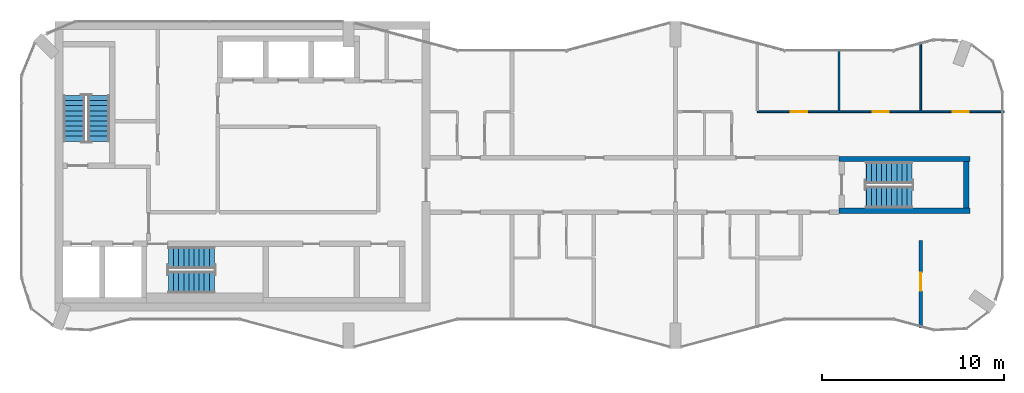
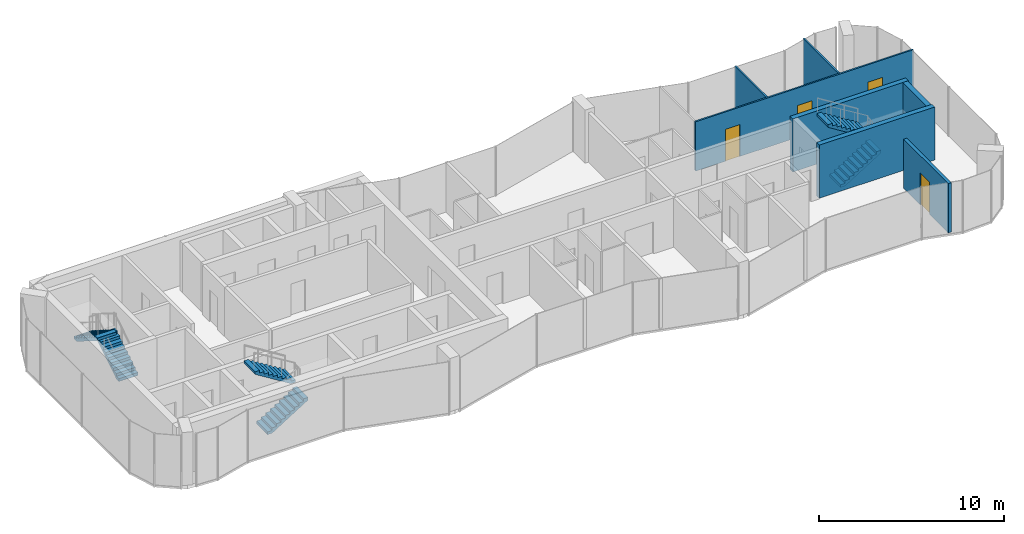
# One storey, part 9 of 10: 7 walls, 6 stair flights, 4 doors, 4 openings, 3 elements without a shape of their own.
"""IFC4 building model written with IfcOpenShell, lengths in metres."""

from ifc_helpers import new_model, si_unit, direction, frame, frame_2d, origin, place, context, subcontext, project, spatial, polyline, rectangle, outline, extrude, material, layer, layer_set, type_object, element, fill, aggregate, save


model = new_model("IFC4")

# Units and contexts
model_context = context("Model", 3, precision=1e-05, world=origin(), true_north=direction((0.0, 1.0)))
body_context = subcontext(model_context, "Body", "Model", "MODEL_VIEW")
ifc_project = project(units=[si_unit("LENGTHUNIT", "METRE"), si_unit("AREAUNIT", "SQUARE_METRE"), si_unit("VOLUMEUNIT", "CUBIC_METRE"), si_unit("PLANEANGLEUNIT", "RADIAN"), si_unit("MASSUNIT", "GRAM", prefix="KILO")], contexts=[model_context])

# Site, building, storey
site_placement = place(None, origin())
site = spatial("IfcSite", under=ifc_project, at=site_placement, CompositionType="ELEMENT")
building_placement = place(site_placement, origin())
building = spatial("IfcBuilding", under=site, at=building_placement, Name="Plateau Cross Towers", CompositionType="ELEMENT")
storey_placement = place(building_placement, frame((0.0, 0.0, 270.39990234375)))
storey = spatial("IfcBuildingStorey", under=building, at=storey_placement, Name="L71", CompositionType="ELEMENT", Elevation=270.39990234375)

# Wall, openings, doors
ifc_material_1 = material(Name="Gypsum board on steel studs", Category="steel")
ifc_layer_1 = layer(ifc_material_1, 0.10009765625)
ifc_layer_set_1 = layer_set([ifc_layer_1], Name="Gypsum board on steel studs")
wall_type_1 = type_object("IfcWallType", Name="Flat partition 100", PredefinedType="PARTITIONING", material=ifc_layer_set_1)
wall_1_placement = place(storey_placement, frame((40.5, 13.02490234375, 0.0), z_axis=(0.0, 0.0, 1.0), x_axis=(1.0, 0.0, 0.0)))
wall_1 = element("IfcWall", 1, at=wall_1_placement, inside=storey, type_object=wall_type_1, Name="Partition wall", PredefinedType="PARTITIONING", context=body_context, shape_type="SweptSolid", body=[
    extrude(rectangle(XDim=13.580078125, YDim=0.10009765625, at=frame_2d((6.7900390625, 0.0))), origin(), (0.0, 0.0, 1.0), 3.25),
])
opening_1_placement = place(wall_1_placement, frame((1.85009765625, 0.0, 0.0)))
opening_1 = element("IfcOpeningElement", 2, at=opening_1_placement, cuts=wall_1, Name="Opening 71-20", PredefinedType="OPENING", context=body_context, shape_type="SweptSolid", body=[
    extrude(rectangle(XDim=0.89990234375, YDim=2.10009765625, at=frame_2d((0.449951171875, 1.050048828125))), frame((0.0, 0.06005859375, 0.0), z_axis=(0.0, -1.0, 0.0), x_axis=(1.0, 0.0, 0.0)), (0.0, 0.0, 1.0), 0.1201171875),
])
opening_2_placement = place(wall_1_placement, frame((6.35009765625, 0.0, 0.0)))
opening_2 = element("IfcOpeningElement", 3, at=opening_2_placement, cuts=wall_1, Name="Opening 71-21", PredefinedType="OPENING", context=body_context, shape_type="SweptSolid", body=[
    extrude(rectangle(XDim=0.89990234375, YDim=2.10009765625, at=frame_2d((0.449951171875, 1.050048828125))), frame((0.0, 0.06005859375, 0.0), z_axis=(0.0, -1.0, 0.0), x_axis=(1.0, 0.0, 0.0)), (0.0, 0.0, 1.0), 0.1201171875),
])
opening_3_placement = place(wall_1_placement, frame((10.75, 0.0, 0.0)))
opening_3 = element("IfcOpeningElement", 4, at=opening_3_placement, cuts=wall_1, Name="Opening 71-22", PredefinedType="OPENING", context=body_context, shape_type="SweptSolid", body=[
    extrude(rectangle(XDim=0.89990234375, YDim=2.10009765625, at=frame_2d((0.449951171875, 1.050048828125))), frame((0.0, 0.06005859375, 0.0), z_axis=(0.0, -1.0, 0.0), x_axis=(1.0, 0.0, 0.0)), (0.0, 0.0, 1.0), 0.1201171875),
])
ifc_material_2 = material(Name="Timber leaf", Category="wood")
door_type_1 = type_object("IfcDoorType", Name="Flat room door 900", OperationType="NOTDEFINED", PredefinedType="DOOR", material=ifc_material_2)
door_1_placement = place(opening_1_placement, origin())
door_1 = element("IfcDoor", 5, at=door_1_placement, inside=storey, type_object=door_type_1, Name="Door 71-20", OperationType="SINGLE_SWING_LEFT", OverallHeight=2.10009765625, OverallWidth=0.89990234375, PredefinedType="DOOR", context=body_context, shape_type="SweptSolid", body=[
    extrude(rectangle(XDim=0.89990234375, YDim=2.10009765625, at=frame_2d((0.449951171875, 1.050048828125))), frame((0.0, 0.02490234375, 0.0), z_axis=(0.0, -1.0, 0.0), x_axis=(1.0, 0.0, 0.0)), (0.0, 0.0, 1.0), 0.050048828125),
])
fill(opening_1, door_1)
door_2_placement = place(opening_2_placement, origin())
door_2 = element("IfcDoor", 6, at=door_2_placement, inside=storey, type_object=door_type_1, Name="Door 71-21", OperationType="SINGLE_SWING_RIGHT", OverallHeight=2.10009765625, OverallWidth=0.89990234375, PredefinedType="DOOR", context=body_context, shape_type="SweptSolid", body=[
    extrude(rectangle(XDim=0.89990234375, YDim=2.10009765625, at=frame_2d((0.449951171875, 1.050048828125))), frame((0.0, 0.02490234375, 0.0), z_axis=(0.0, -1.0, 0.0), x_axis=(1.0, 0.0, 0.0)), (0.0, 0.0, 1.0), 0.050048828125),
])
fill(opening_2, door_2)
door_3_placement = place(opening_3_placement, origin())
door_3 = element("IfcDoor", 7, at=door_3_placement, inside=storey, type_object=door_type_1, Name="Door 71-22", OperationType="SINGLE_SWING_RIGHT", OverallHeight=2.10009765625, OverallWidth=0.89990234375, PredefinedType="DOOR", context=body_context, shape_type="SweptSolid", body=[
    extrude(rectangle(XDim=0.89990234375, YDim=2.10009765625, at=frame_2d((0.449951171875, 1.050048828125))), frame((0.0, 0.02490234375, 0.0), z_axis=(0.0, -1.0, 0.0), x_axis=(1.0, 0.0, 0.0)), (0.0, 0.0, 1.0), 0.050048828125),
])
fill(opening_3, door_3)

# Walls
wall_2_placement = place(storey_placement, frame((45.0, 13.074951171875, 0.0), z_axis=(0.0, 0.0, 1.0), x_axis=(0.0, 1.0, 0.0)))
element("IfcWall", 8, at=wall_2_placement, inside=storey, type_object=wall_type_1, Name="Partition wall", PredefinedType="PARTITIONING", context=body_context, shape_type="SweptSolid", body=[
    extrude(rectangle(XDim=3.398193359375, YDim=0.10009765625, at=frame_2d((1.69921875, 0.0))), origin(), (0.0, 0.0, 1.0), 3.25),
])
wall_3_placement = place(storey_placement, frame((49.5, 13.074951171875, 0.0), z_axis=(0.0, 0.0, 1.0), x_axis=(0.0, 1.0, 0.0)))
element("IfcWall", 9, at=wall_3_placement, inside=storey, type_object=wall_type_1, Name="Partition wall", PredefinedType="PARTITIONING", context=body_context, shape_type="SweptSolid", body=[
    extrude(rectangle(XDim=3.802734375, YDim=0.10009765625, at=frame_2d((1.9013671875, 0.0))), origin(), (0.0, 0.0, 1.0), 3.25),
])

# Wall, opening, door
ifc_material_3 = material(Name="Gypsum board on steel studs, two layers each side", Category="steel")
ifc_layer_2 = layer(ifc_material_3, 0.199951171875)
ifc_layer_set_2 = layer_set([ifc_layer_2], Name="Gypsum board on steel studs, two layers each side")
wall_type_2 = type_object("IfcWallType", Name="Flat party wall 200", PredefinedType="PARTITIONING", material=ifc_layer_set_2)
wall_4_placement = place(storey_placement, frame((49.5, 1.122314453125, 0.0), z_axis=(0.0, 0.0, 1.0), x_axis=(0.0, 1.0, 0.0)))
wall_4 = element("IfcWall", 10, at=wall_4_placement, inside=storey, type_object=wall_type_2, Name="Party wall", PredefinedType="PARTITIONING", context=body_context, shape_type="SweptSolid", body=[
    extrude(rectangle(XDim=4.82763671875, YDim=0.199951171875, at=frame_2d((2.413818359375, 0.0))), origin(), (0.0, 0.0, 1.0), 3.25),
])
opening_4_placement = place(wall_4_placement, frame((2.050048828125, 0.0, 0.0)))
opening_4 = element("IfcOpeningElement", 11, at=opening_4_placement, cuts=wall_4, Name="Opening 71-11", PredefinedType="OPENING", context=body_context, shape_type="SweptSolid", body=[
    extrude(rectangle(XDim=1.0, YDim=2.10009765625, at=frame_2d((0.5, 1.050048828125))), frame((0.0, 0.10986328125, 0.0), z_axis=(0.0, -1.0, 0.0), x_axis=(1.0, 0.0, 0.0)), (0.0, 0.0, 1.0), 0.219970703125),
])
ifc_material_4 = material(Name="Timber, fire-resisting leaf", Category="wood")
door_type_2 = type_object("IfcDoorType", Name="Flat entrance door 1000", OperationType="NOTDEFINED", PredefinedType="DOOR", material=ifc_material_4)
door_4_placement = place(opening_4_placement, origin())
door_4 = element("IfcDoor", 12, at=door_4_placement, inside=storey, type_object=door_type_2, Name="Door 71-11", OperationType="SINGLE_SWING_RIGHT", OverallHeight=2.10009765625, OverallWidth=1.0, PredefinedType="DOOR", context=body_context, shape_type="SweptSolid", body=[
    extrude(rectangle(XDim=1.0, YDim=2.10009765625, at=frame_2d((0.5, 1.050048828125))), frame((0.0, 0.02490234375, 0.0), z_axis=(0.0, -1.0, 0.0), x_axis=(1.0, 0.0, 0.0)), (0.0, 0.0, 1.0), 0.050048828125),
])
fill(opening_4, door_4)

# Walls
ifc_material_5 = material(Name="Concrete C60/75", Category="concrete")
ifc_layer_3 = layer(ifc_material_5, 0.300048828125)
ifc_layer_set_3 = layer_set([ifc_layer_3], Name="Concrete C60/75")
wall_type_3 = type_object("IfcWallType", Name="Stair tower wall 300", PredefinedType="SHEAR", material=ifc_layer_set_3)
wall_5_placement = place(storey_placement, frame((52.0, 7.72509765625, 0.0), z_axis=(0.0, 0.0, 1.0), x_axis=(0.0, 1.0, 0.0)))
element("IfcWall", 13, at=wall_5_placement, inside=storey, type_object=wall_type_3, Name="A-end-E-E@L71", PredefinedType="SHEAR", context=body_context, shape_type="SweptSolid", body=[
    extrude(rectangle(XDim=2.5498046875, YDim=0.300048828125, at=frame_2d((1.27490234375, 0.0))), origin(), (0.0, 0.0, 1.0), 3.5),
])
for number, where, z_axis, x_axis, name in (
    (14, (45.0, 7.574951171875, 0.0), (0.0, 0.0, 1.0), (1.0, 0.0, 0.0), "A-end-E-S@L71"),
    (15, (45.0, 10.425048828125, 0.0), (0.0, 0.0, 1.0), (1.0, 0.0, 0.0), "A-end-E-N@L71"),
):
    element("IfcWall", number, at=place(storey_placement, frame(where, z_axis=z_axis, x_axis=x_axis)), inside=storey, type_object=wall_type_3, Name=name, PredefinedType="SHEAR", context=body_context, shape_type="SweptSolid", body=[
        extrude(rectangle(XDim=7.199951171875, YDim=0.300048828125, at=frame_2d((3.60009765625, 0.0))), origin(), (0.0, 0.0, 1.0), 3.5),
    ])

# Stair, stair flights
ifc_material_6 = material(Name="Concrete C40/50", Category="concrete")
stair_type = type_object("IfcStairType", Name="ST-TWR", PredefinedType="HALF_TURN_STAIR", material=ifc_material_6)
stair_1_placement = place(storey_placement, origin())
stair_1 = element("IfcStair", 16, at=stair_1_placement, inside=storey, type_object=stair_type, Name="L71 Protected Exit Stair ST-1", PredefinedType="HALF_TURN_STAIR")
stair_flight_type = type_object("IfcStairFlightType", Name="SFL-RC", PredefinedType="STRAIGHT", material=ifc_material_6)
stair_flight_1_placement = place(storey_placement, frame((4.25, 11.39990234375, 0.0), z_axis=(0.0, 0.0, 1.0), x_axis=(0.0, 1.0, 0.0)))
stair_flight_1 = element("IfcStairFlight", 17, at=stair_flight_1_placement, type_object=stair_flight_type, Name="ST-1 flight 1", NumberOfRisers=10, NumberOfTreads=9, PredefinedType="STRAIGHT", RiserHeight=0.175, TreadLength=0.28, context=body_context, shape_type="SweptSolid", body=[
    extrude(outline(polyline([(-0.0048828125, -0.010009765625), (-0.0048828125, 0.0), (0.0, 0.0), (0.0, 0.175048828125), (0.280029296875, 0.175048828125), (0.280029296875, 0.35009765625), (0.56005859375, 0.35009765625), (0.56005859375, 0.52490234375), (0.840087890625, 0.52490234375), (0.840087890625, 0.699951171875), (1.1201171875, 0.699951171875), (1.1201171875, 0.875), (1.39990234375, 0.875), (1.39990234375, 1.050048828125), (1.679931640625, 1.050048828125), (1.679931640625, 1.22509765625), (1.9599609375, 1.22509765625), (1.9599609375, 1.39990234375), (2.239990234375, 1.39990234375), (2.239990234375, 1.574951171875), (2.52001953125, 1.574951171875), (2.52490234375, 1.56494140625), (2.52490234375, 1.398193359375), (2.52001953125, 1.398193359375), (0.28271484375, 0.0), (0.02001953125, 0.0), (0.02001953125, -0.010009765625), (-0.0048828125, -0.010009765625)])), frame((0.0, 0.60009765625, 0.0), z_axis=(0.0, -1.0, 0.0), x_axis=(1.0, 0.0, 0.0)), (0.0, 0.0, 1.0), 1.199951171875),
])
stair_flight_2_placement = place(storey_placement, frame((2.89990234375, 13.919921875, 1.75), z_axis=(0.0, 0.0, 1.0), x_axis=(0.0, -1.0, 0.0)))
stair_flight_2 = element("IfcStairFlight", 18, at=stair_flight_2_placement, type_object=stair_flight_type, Name="ST-1 flight 2", NumberOfRisers=10, NumberOfTreads=9, PredefinedType="STRAIGHT", RiserHeight=0.175, TreadLength=0.28, context=body_context, shape_type="SweptSolid", body=[
    extrude(outline(polyline([(-0.0048828125, -0.010009765625), (-0.0048828125, 0.0), (0.0, 0.0), (0.0, 0.175048828125), (0.280029296875, 0.175048828125), (0.280029296875, 0.35009765625), (0.56005859375, 0.35009765625), (0.56005859375, 0.52490234375), (0.840087890625, 0.52490234375), (0.840087890625, 0.699951171875), (1.1201171875, 0.699951171875), (1.1201171875, 0.875), (1.39990234375, 0.875), (1.39990234375, 1.050048828125), (1.679931640625, 1.050048828125), (1.679931640625, 1.22509765625), (1.9599609375, 1.22509765625), (1.9599609375, 1.39990234375), (2.239990234375, 1.39990234375), (2.239990234375, 1.574951171875), (2.52001953125, 1.574951171875), (2.52490234375, 1.56494140625), (2.52490234375, 1.398193359375), (2.52001953125, 1.398193359375), (0.28271484375, 0.0), (0.02001953125, 0.0), (0.02001953125, -0.010009765625), (-0.0048828125, -0.010009765625)])), frame((0.0, 0.60009765625, 0.0), z_axis=(0.0, -1.0, 0.0), x_axis=(1.0, 0.0, 0.0)), (0.0, 0.0, 1.0), 1.199951171875),
])
aggregate(stair_1, [stair_flight_1, stair_flight_2])

stair_2_placement = place(storey_placement, origin())
stair_2 = element("IfcStair", 19, at=stair_2_placement, inside=storey, type_object=stair_type, Name="L71 Protected Exit Stair ST-2", PredefinedType="HALF_TURN_STAIR")
stair_flight_3_placement = place(storey_placement, frame((8.10009765625, 3.64990234375, 0.0), z_axis=(0.0, 0.0, 1.0), x_axis=(1.0, 0.0, 0.0)))
stair_flight_3 = element("IfcStairFlight", 20, at=stair_flight_3_placement, type_object=stair_flight_type, Name="ST-2 flight 1", NumberOfRisers=10, NumberOfTreads=9, PredefinedType="STRAIGHT", RiserHeight=0.175, TreadLength=0.28, context=body_context, shape_type="SweptSolid", body=[
    extrude(outline(polyline([(-0.0048828125, -0.010009765625), (-0.0048828125, 0.0), (0.0, 0.0), (0.0, 0.175048828125), (0.280029296875, 0.175048828125), (0.280029296875, 0.35009765625), (0.56005859375, 0.35009765625), (0.56005859375, 0.52490234375), (0.840087890625, 0.52490234375), (0.840087890625, 0.699951171875), (1.1201171875, 0.699951171875), (1.1201171875, 0.875), (1.39990234375, 0.875), (1.39990234375, 1.050048828125), (1.679931640625, 1.050048828125), (1.679931640625, 1.22509765625), (1.9599609375, 1.22509765625), (1.9599609375, 1.39990234375), (2.239990234375, 1.39990234375), (2.239990234375, 1.574951171875), (2.52001953125, 1.574951171875), (2.52490234375, 1.56494140625), (2.52490234375, 1.398193359375), (2.52001953125, 1.398193359375), (0.28271484375, 0.0), (0.02001953125, 0.0), (0.02001953125, -0.010009765625), (-0.0048828125, -0.010009765625)])), frame((0.0, 0.60009765625, 0.0), z_axis=(0.0, -1.0, 0.0), x_axis=(1.0, 0.0, 0.0)), (0.0, 0.0, 1.0), 1.199951171875),
])
stair_flight_4_placement = place(storey_placement, frame((10.6201171875, 5.0, 1.75), z_axis=(0.0, 0.0, 1.0), x_axis=(-1.0, 0.0, 0.0)))
stair_flight_4 = element("IfcStairFlight", 21, at=stair_flight_4_placement, type_object=stair_flight_type, Name="ST-2 flight 2", NumberOfRisers=10, NumberOfTreads=9, PredefinedType="STRAIGHT", RiserHeight=0.175, TreadLength=0.28, context=body_context, shape_type="SweptSolid", body=[
    extrude(outline(polyline([(-0.0048828125, -0.010009765625), (-0.0048828125, 0.0), (0.0, 0.0), (0.0, 0.175048828125), (0.280029296875, 0.175048828125), (0.280029296875, 0.35009765625), (0.56005859375, 0.35009765625), (0.56005859375, 0.52490234375), (0.840087890625, 0.52490234375), (0.840087890625, 0.699951171875), (1.1201171875, 0.699951171875), (1.1201171875, 0.875), (1.39990234375, 0.875), (1.39990234375, 1.050048828125), (1.679931640625, 1.050048828125), (1.679931640625, 1.22509765625), (1.9599609375, 1.22509765625), (1.9599609375, 1.39990234375), (2.239990234375, 1.39990234375), (2.239990234375, 1.574951171875), (2.52001953125, 1.574951171875), (2.52490234375, 1.56494140625), (2.52490234375, 1.398193359375), (2.52001953125, 1.398193359375), (0.28271484375, 0.0), (0.02001953125, 0.0), (0.02001953125, -0.010009765625), (-0.0048828125, -0.010009765625)])), frame((0.0, 0.60009765625, 0.0), z_axis=(0.0, -1.0, 0.0), x_axis=(1.0, 0.0, 0.0)), (0.0, 0.0, 1.0), 1.199951171875),
])
aggregate(stair_2, [stair_flight_3, stair_flight_4])

stair_3_placement = place(storey_placement, origin())
stair_3 = element("IfcStair", 22, at=stair_3_placement, inside=storey, type_object=stair_type, Name="L71 Protected Exit Stair E", PredefinedType="HALF_TURN_STAIR")
stair_flight_5_placement = place(storey_placement, frame((46.5, 8.324951171875, 0.0), z_axis=(0.0, 0.0, 1.0), x_axis=(1.0, 0.0, 0.0)))
stair_flight_5 = element("IfcStairFlight", 23, at=stair_flight_5_placement, type_object=stair_flight_type, Name="ES-E flight 1", NumberOfRisers=10, NumberOfTreads=9, PredefinedType="STRAIGHT", RiserHeight=0.175, TreadLength=0.28, context=body_context, shape_type="SweptSolid", body=[
    extrude(outline(polyline([(-0.0048828125, -0.010009765625), (-0.0048828125, 0.0), (0.0, 0.0), (0.0, 0.175048828125), (0.280029296875, 0.175048828125), (0.280029296875, 0.35009765625), (0.56005859375, 0.35009765625), (0.56005859375, 0.52490234375), (0.840087890625, 0.52490234375), (0.840087890625, 0.699951171875), (1.1201171875, 0.699951171875), (1.1201171875, 0.875), (1.39990234375, 0.875), (1.39990234375, 1.050048828125), (1.679931640625, 1.050048828125), (1.679931640625, 1.22509765625), (1.9599609375, 1.22509765625), (1.9599609375, 1.39990234375), (2.239990234375, 1.39990234375), (2.239990234375, 1.574951171875), (2.52001953125, 1.574951171875), (2.52490234375, 1.56494140625), (2.52490234375, 1.398193359375), (2.52001953125, 1.398193359375), (0.28271484375, 0.0), (0.02001953125, 0.0), (0.02001953125, -0.010009765625), (-0.0048828125, -0.010009765625)])), frame((0.0, 0.60009765625, 0.0), z_axis=(0.0, -1.0, 0.0), x_axis=(1.0, 0.0, 0.0)), (0.0, 0.0, 1.0), 1.199951171875),
])
stair_flight_6_placement = place(storey_placement, frame((49.02001953125, 9.675048828125, 1.75), z_axis=(0.0, 0.0, 1.0), x_axis=(-1.0, 0.0, 0.0)))
stair_flight_6 = element("IfcStairFlight", 24, at=stair_flight_6_placement, type_object=stair_flight_type, Name="ES-E flight 2", NumberOfRisers=10, NumberOfTreads=9, PredefinedType="STRAIGHT", RiserHeight=0.175, TreadLength=0.28, context=body_context, shape_type="SweptSolid", body=[
    extrude(outline(polyline([(-0.0048828125, -0.010009765625), (-0.0048828125, 0.0), (0.0, 0.0), (0.0, 0.175048828125), (0.280029296875, 0.175048828125), (0.280029296875, 0.35009765625), (0.56005859375, 0.35009765625), (0.56005859375, 0.52490234375), (0.840087890625, 0.52490234375), (0.840087890625, 0.699951171875), (1.1201171875, 0.699951171875), (1.1201171875, 0.875), (1.39990234375, 0.875), (1.39990234375, 1.050048828125), (1.679931640625, 1.050048828125), (1.679931640625, 1.22509765625), (1.9599609375, 1.22509765625), (1.9599609375, 1.39990234375), (2.239990234375, 1.39990234375), (2.239990234375, 1.574951171875), (2.52001953125, 1.574951171875), (2.52490234375, 1.56494140625), (2.52490234375, 1.398193359375), (2.52001953125, 1.398193359375), (0.28271484375, 0.0), (0.02001953125, 0.0), (0.02001953125, -0.010009765625), (-0.0048828125, -0.010009765625)])), frame((0.0, 0.60009765625, 0.0), z_axis=(0.0, -1.0, 0.0), x_axis=(1.0, 0.0, 0.0)), (0.0, 0.0, 1.0), 1.199951171875),
])
aggregate(stair_3, [stair_flight_5, stair_flight_6])

save(model, "model.ifc")
